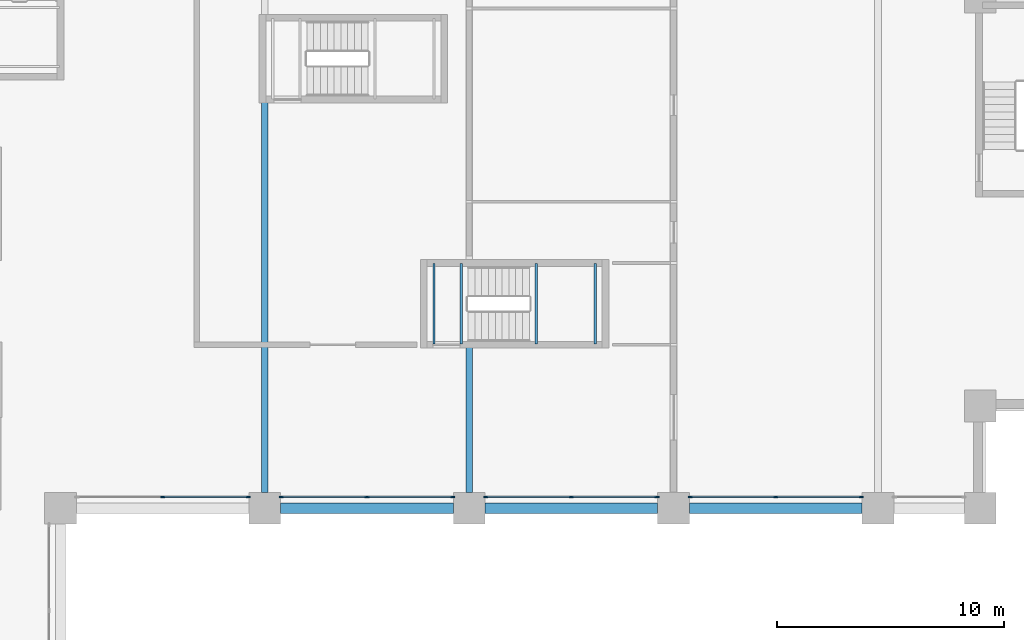
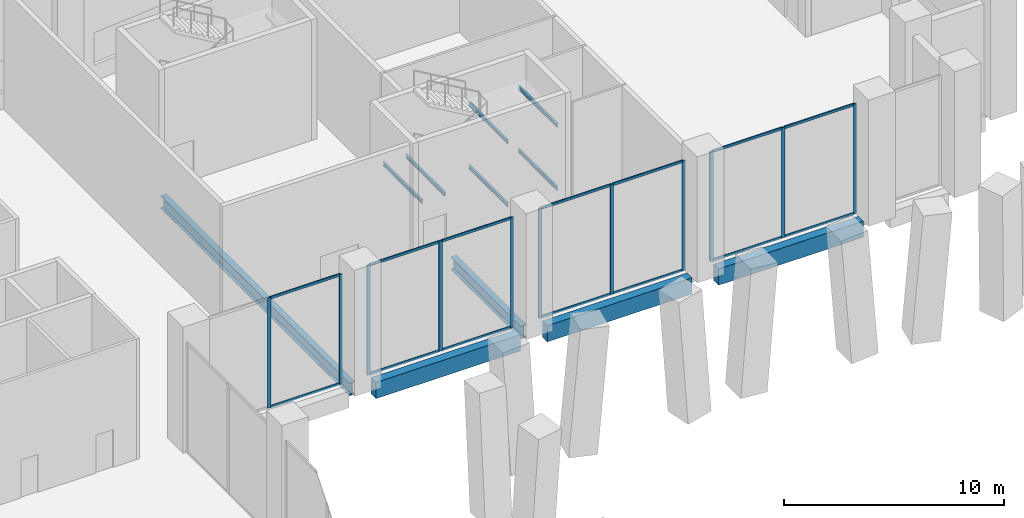
# One storey, part 6 of 18: 25 members, 11 beams, 4 elements without a shape of their own.
"""IFC4 building model written with IfcOpenShell, lengths in metres."""

import ifcopenshell
import ifcopenshell.guid

model = None  # the IFC model being written
_history = None  # IfcOwnerHistory: only IFC2X3 demands one
_inside = {}  # id of a spatial element -> (the spatial element, [elements in it])
_under = {}  # id of a project, library or spatial element -> (it, [spatial elements below it])
_declared = {}  # id of a project -> (the project, [libraries it declares])
_typed = {}  # id of a type object -> (the type object, [elements of that type])
_made_of = {}  # id of a material, layer set ... -> (it, [elements and type objects made of it])


def new_model(schema):
    """Start an empty IFC model of exactly this schema.

    Asked for "IFC4X3", IfcOpenShell would pick the latest addendum, in which some entities
    have other attributes; the version numbers below select the first issue.
    IFC2X3 requires an IfcOwnerHistory on every rooted entity: one is made here for all.
    """
    global model, _history
    if schema == "IFC4X3":
        model = ifcopenshell.file(schema_version=(4, 3, 0, 0))
    else:
        model = ifcopenshell.file(schema=schema)
    _inside.clear()
    _under.clear()
    _declared.clear()
    _typed.clear()
    _made_of.clear()
    _history = None
    if model.schema == "IFC2X3":
        org = make("IfcOrganization", Name="unknown")
        user = make(
            "IfcPersonAndOrganization",
            ThePerson=make("IfcPerson", FamilyName="unknown"),
            TheOrganization=org,
        )
        app = make(
            "IfcApplication",
            ApplicationDeveloper=org,
            Version="unknown",
            ApplicationFullName="unknown",
            ApplicationIdentifier="unknown",
        )
        _history = make(
            "IfcOwnerHistory",
            OwningUser=user,
            OwningApplication=app,
            ChangeAction="ADDED",
            CreationDate=0,
        )
    return model


def make(cls, **values):
    """One entity of the class cls with the attributes given. An attribute that is None is left unset."""
    return model.create_entity(
        cls, **{name: value for name, value in values.items() if value is not None}
    )


def rooted(cls, **values):
    """An entity with a GlobalId (a new one), such as an element, a storey or a relation."""
    return make(cls, GlobalId=ifcopenshell.guid.new(), OwnerHistory=_history, **values)


def si_unit(unit_type, name, prefix=None):
    """IfcSIUnit, for example si_unit("LENGTHUNIT", "METRE", prefix="MILLI")."""
    return make("IfcSIUnit", UnitType=unit_type, Prefix=prefix, Name=name)


def assignment(units):
    """IfcUnitAssignment: the units of a project."""
    return None if units is None else make("IfcUnitAssignment", Units=units)


def point(xyz):
    """IfcCartesianPoint."""
    return None if xyz is None else make("IfcCartesianPoint", Coordinates=xyz)


def direction(xyz):
    """IfcDirection."""
    return None if xyz is None else make("IfcDirection", DirectionRatios=xyz)


def frame(location, z_axis=None, x_axis=None):
    """IfcAxis2Placement3D, a coordinate frame: its origin and axes. An axis left out is left unset."""
    return make(
        "IfcAxis2Placement3D",
        Location=point(location),
        Axis=direction(z_axis),
        RefDirection=direction(x_axis),
    )


def frame_2d(location, x_axis=None):
    """IfcAxis2Placement2D, a coordinate frame in the plane: its origin and x axis."""
    return make(
        "IfcAxis2Placement2D", Location=point(location), RefDirection=direction(x_axis)
    )


def origin():
    """The frame at (0, 0, 0) with its axes left unset."""
    return frame((0.0, 0.0, 0.0))


def origin_2d():
    """The frame at (0, 0) in the plane with its x axis left unset."""
    return frame_2d((0.0, 0.0))


def place(relative_to, where):
    """IfcLocalPlacement: puts the frame where relative to a parent placement (None: the world)."""
    return make(
        "IfcLocalPlacement", PlacementRelTo=relative_to, RelativePlacement=where
    )


def context(
    kind, dimensions, precision=None, world=None, true_north=None, identifier=None
):
    """IfcGeometricRepresentationContext, for example the 3D "Model" context."""
    return make(
        "IfcGeometricRepresentationContext",
        ContextIdentifier=identifier,
        ContextType=kind,
        CoordinateSpaceDimension=dimensions,
        Precision=precision,
        WorldCoordinateSystem=world,
        TrueNorth=true_north,
    )


def subcontext(parent, identifier, kind, view, scale=None):
    """IfcGeometricRepresentationSubContext, for example "Body" below "Model"."""
    return make(
        "IfcGeometricRepresentationSubContext",
        ContextIdentifier=identifier,
        ContextType=kind,
        ParentContext=parent,
        TargetScale=scale,
        TargetView=view,
    )


def project(units=None, contexts=None):
    """IfcProject with its units and contexts."""
    return rooted(
        "IfcProject",
        Name="project",
        RepresentationContexts=contexts,
        UnitsInContext=assignment(units),
    )


def spatial(cls, under=None, at=None, **own):
    """A site, building, storey or space (cls), placed at a placement, below another one or the project."""
    s = rooted(cls, ObjectPlacement=at, **own)
    if under is not None:
        _under.setdefault(under.id(), (under, []))[1].append(s)
    return s


def profile(cls, at=None, kind="AREA", **sizes):
    """A parametric profile (cls). Its sizes go by their IFC names, for example OverallWidth=200.0."""
    return make(cls, ProfileType=kind, Position=at, **sizes)


def rectangle(**sizes):
    """IfcRectangleProfileDef."""
    return profile("IfcRectangleProfileDef", **sizes)


def i_section(**sizes):
    """IfcIShapeProfileDef."""
    return profile("IfcIShapeProfileDef", **sizes)


def extrude(swept, where, along, depth):
    """IfcExtrudedAreaSolid: the profile swept, set in the frame where, extruded along a direction by depth."""
    return make(
        "IfcExtrudedAreaSolid",
        SweptArea=swept,
        Position=where,
        ExtrudedDirection=direction(along),
        Depth=depth,
    )


def shape(context_of_items, identifier, shape_type, items):
    """IfcShapeRepresentation: the items that make up one representation, for example the "Body"."""
    return make(
        "IfcShapeRepresentation",
        ContextOfItems=context_of_items,
        RepresentationIdentifier=identifier,
        RepresentationType=shape_type,
        Items=items,
    )


def material(Name=None, Category=None):
    """IfcMaterial."""
    return make("IfcMaterial", Name=Name, Category=Category)


def material_profile(
    of_material, cross_section, Name=None, Category=None, Priority=None
):
    """IfcMaterialProfile: a cross section and its material."""
    return make(
        "IfcMaterialProfile",
        Name=Name,
        Material=of_material,
        Profile=cross_section,
        Priority=Priority,
        Category=Category,
    )


def profile_set(profiles, Name=None, composite=None):
    """IfcMaterialProfileSet."""
    return make(
        "IfcMaterialProfileSet",
        Name=Name,
        MaterialProfiles=profiles,
        CompositeProfile=composite,
    )


def made_of(thing, what):
    """Note that an element or type object is made of a material, layer set ...; save() writes the relation."""
    if what is not None:
        _made_of.setdefault(what.id(), (what, []))[1].append(thing)
    return thing


def type_object(cls, material=None, **own):
    """A type object (cls), such as IfcWallType, which elements share."""
    return made_of(rooted(cls, **own), material)


def element(
    cls,
    number,
    at=None,
    inside=None,
    cuts=None,
    type_object=None,
    material=None,
    context=None,
    identifier="Body",
    shape_type=None,
    held_by="IfcProductDefinitionShape",
    body=None,
    shapes=None,
    **own,
):
    """One element of the class cls, such as IfcWall. Its Tag is "e" and its number.

    at: its placement. inside: the storey or other place that contains it. cuts: it is an
    opening in that element (IfcRelVoidsElement). A single representation is given by context,
    identifier, shape_type and body (its items); several are given by shapes. held_by: the class
    of the entity that holds the representations. save() writes the other relations.
    """
    e = rooted(cls, Tag="e%d" % number, ObjectPlacement=at, **own)
    if body is not None:
        shapes = [shape(context, identifier, shape_type, body)]
    if shapes is not None:
        e.Representation = make(held_by, Representations=shapes)
    if inside is not None:
        _inside.setdefault(inside.id(), (inside, []))[1].append(e)
    if cuts is not None:
        rooted(
            "IfcRelVoidsElement", RelatingBuildingElement=cuts, RelatedOpeningElement=e
        )
    if type_object is not None:
        _typed.setdefault(type_object.id(), (type_object, []))[1].append(e)
    return made_of(e, material)


def aggregate(whole, parts):
    """IfcRelAggregates: a whole, such as a stair, and the parts it consists of."""
    return rooted("IfcRelAggregates", RelatingObject=whole, RelatedObjects=parts)


def save(model, path):
    """Write the relations noted so far, then the file.

    IfcRelAggregates (storeys below a building ...), IfcRelContainedInSpatialStructure (elements
    in a storey), IfcRelDefinesByType, IfcRelAssociatesMaterial and IfcRelDeclares: one each for
    every whole, place, type object, material and project.
    """
    for whole, parts in _under.values():
        aggregate(whole, parts)
    for where, things in _inside.values():
        rooted(
            "IfcRelContainedInSpatialStructure",
            RelatedElements=things,
            RelatingStructure=where,
        )
    for kind, things in _typed.values():
        rooted("IfcRelDefinesByType", RelatedObjects=things, RelatingType=kind)
    for what, things in _made_of.values():
        rooted("IfcRelAssociatesMaterial", RelatedObjects=things, RelatingMaterial=what)
    for by, libraries in _declared.values():
        rooted("IfcRelDeclares", RelatingContext=by, RelatedDefinitions=libraries)
    model.write(path)


model = new_model("IFC4")

# Units and contexts
model_context = context("Model", 3, precision=1e-05, world=origin(), true_north=direction((0.0, 1.0)))
body_context = subcontext(model_context, "Body", "Model", "MODEL_VIEW")
ifc_project = project(units=[si_unit("LENGTHUNIT", "METRE"), si_unit("AREAUNIT", "SQUARE_METRE"), si_unit("VOLUMEUNIT", "CUBIC_METRE"), si_unit("PLANEANGLEUNIT", "RADIAN"), si_unit("MASSUNIT", "GRAM", prefix="KILO")], contexts=[model_context])

# Site, building, storey
site_placement = place(None, origin())
site = spatial("IfcSite", under=ifc_project, at=site_placement, CompositionType="ELEMENT")
building_placement = place(site_placement, origin())
building = spatial("IfcBuilding", under=site, at=building_placement, Name="Brondeck Convention Tower", CompositionType="ELEMENT")
storey_placement = place(building_placement, frame((0.0, 0.0, 7.5)))
storey = spatial("IfcBuildingStorey", under=building, at=storey_placement, Name="L01", CompositionType="ELEMENT", Elevation=7.5)

# Curtain wall, members
ifc_material_1 = material(Name="Aluminium, bronze anodised", Category="aluminium")
curtain_wall_type = type_object("IfcCurtainWallType", Name="Podium hall curtain wall", PredefinedType="NOTDEFINED", material=ifc_material_1)
curtain_wall_1_placement = place(storey_placement, origin())
curtain_wall_1 = element("IfcCurtainWall", 1, at=curtain_wall_1_placement, inside=storey, type_object=curtain_wall_type, Name="ENV-CW2-L01-A-S-01", PredefinedType="NOTDEFINED")
ifc_material_profile_1 = material_profile(ifc_material_1, rectangle(XDim=0.06005859375, YDim=0.179931640625, at=origin_2d()), Name="CW2 mullion")
ifc_profile_set_1 = profile_set([ifc_material_profile_1], Name="Aluminium, bronze anodised")
member_type_1 = type_object("IfcMemberType", Name="CW2 mullion", PredefinedType="MULLION", material=ifc_profile_set_1)
member_1_placement = place(storey_placement, frame((35.27001953125, 36.5, 0.0), z_axis=(0.0, 0.0, 1.0), x_axis=(0.0, -1.0, 0.0)))
member_1 = element("IfcMember", 2, at=member_1_placement, type_object=member_type_1, Name="CW2 mullion 1", PredefinedType="MULLION", context=body_context, shape_type="SweptSolid", body=[
    extrude(rectangle(XDim=0.06005859375, YDim=0.179931640625, at=origin_2d()), origin(), (0.0, 0.0, 1.0), 6.10009765625),
])
member_2_placement = place(storey_placement, frame((31.5, 36.5, 0.0), z_axis=(0.0, 0.0, 1.0), x_axis=(0.0, -1.0, 0.0)))
member_2 = element("IfcMember", 3, at=member_2_placement, type_object=member_type_1, Name="CW2 mullion 2", PredefinedType="MULLION", context=body_context, shape_type="SweptSolid", body=[
    extrude(rectangle(XDim=0.06005859375, YDim=0.179931640625, at=origin_2d()), origin(), (0.0, 0.0, 1.0), 6.10009765625),
])

curtain_wall_2_placement = place(storey_placement, origin())
curtain_wall_2 = element("IfcCurtainWall", 4, at=curtain_wall_2_placement, inside=storey, type_object=curtain_wall_type, Name="ENV-CW2-L01-A-S-03", PredefinedType="NOTDEFINED")
member_3_placement = place(storey_placement, frame((44.27001953125, 36.5, 0.0), z_axis=(0.0, 0.0, 1.0), x_axis=(0.0, -1.0, 0.0)))
member_3 = element("IfcMember", 5, at=member_3_placement, type_object=member_type_1, Name="CW2 mullion 1", PredefinedType="MULLION", context=body_context, shape_type="SweptSolid", body=[
    extrude(rectangle(XDim=0.06005859375, YDim=0.179931640625, at=origin_2d()), origin(), (0.0, 0.0, 1.0), 6.10009765625),
])
member_4_placement = place(storey_placement, frame((40.5, 36.5, 0.0), z_axis=(0.0, 0.0, 1.0), x_axis=(0.0, -1.0, 0.0)))
member_4 = element("IfcMember", 6, at=member_4_placement, type_object=member_type_1, Name="CW2 mullion 2", PredefinedType="MULLION", context=body_context, shape_type="SweptSolid", body=[
    extrude(rectangle(XDim=0.06005859375, YDim=0.179931640625, at=origin_2d()), origin(), (0.0, 0.0, 1.0), 6.10009765625),
])
member_5_placement = place(storey_placement, frame((36.72998046875, 36.5, 0.0), z_axis=(0.0, 0.0, 1.0), x_axis=(0.0, -1.0, 0.0)))
member_5 = element("IfcMember", 7, at=member_5_placement, type_object=member_type_1, Name="CW2 mullion 3", PredefinedType="MULLION", context=body_context, shape_type="SweptSolid", body=[
    extrude(rectangle(XDim=0.06005859375, YDim=0.179931640625, at=origin_2d()), origin(), (0.0, 0.0, 1.0), 6.10009765625),
])

curtain_wall_3_placement = place(storey_placement, origin())
curtain_wall_3 = element("IfcCurtainWall", 8, at=curtain_wall_3_placement, inside=storey, type_object=curtain_wall_type, Name="ENV-CW2-L01-A-S-05", PredefinedType="NOTDEFINED")
member_6_placement = place(storey_placement, frame((53.27001953125, 36.5, 0.0), z_axis=(0.0, 0.0, 1.0), x_axis=(0.0, -1.0, 0.0)))
member_6 = element("IfcMember", 9, at=member_6_placement, type_object=member_type_1, Name="CW2 mullion 1", PredefinedType="MULLION", context=body_context, shape_type="SweptSolid", body=[
    extrude(rectangle(XDim=0.06005859375, YDim=0.179931640625, at=origin_2d()), origin(), (0.0, 0.0, 1.0), 6.10009765625),
])
member_7_placement = place(storey_placement, frame((49.5, 36.5, 0.0), z_axis=(0.0, 0.0, 1.0), x_axis=(0.0, -1.0, 0.0)))
member_7 = element("IfcMember", 10, at=member_7_placement, type_object=member_type_1, Name="CW2 mullion 2", PredefinedType="MULLION", context=body_context, shape_type="SweptSolid", body=[
    extrude(rectangle(XDim=0.06005859375, YDim=0.179931640625, at=origin_2d()), origin(), (0.0, 0.0, 1.0), 6.10009765625),
])
member_8_placement = place(storey_placement, frame((45.72998046875, 36.5, 0.0), z_axis=(0.0, 0.0, 1.0), x_axis=(0.0, -1.0, 0.0)))
member_8 = element("IfcMember", 11, at=member_8_placement, type_object=member_type_1, Name="CW2 mullion 3", PredefinedType="MULLION", context=body_context, shape_type="SweptSolid", body=[
    extrude(rectangle(XDim=0.06005859375, YDim=0.179931640625, at=origin_2d()), origin(), (0.0, 0.0, 1.0), 6.10009765625),
])

curtain_wall_4_placement = place(storey_placement, origin())
curtain_wall_4 = element("IfcCurtainWall", 12, at=curtain_wall_4_placement, inside=storey, type_object=curtain_wall_type, Name="ENV-CW2-L01-A-S-07", PredefinedType="NOTDEFINED")
member_9_placement = place(storey_placement, frame((62.27001953125, 36.5, 0.0), z_axis=(0.0, 0.0, 1.0), x_axis=(0.0, -1.0, 0.0)))
member_9 = element("IfcMember", 13, at=member_9_placement, type_object=member_type_1, Name="CW2 mullion 1", PredefinedType="MULLION", context=body_context, shape_type="SweptSolid", body=[
    extrude(rectangle(XDim=0.06005859375, YDim=0.179931640625, at=origin_2d()), origin(), (0.0, 0.0, 1.0), 6.10009765625),
])
member_10_placement = place(storey_placement, frame((58.5, 36.5, 0.0), z_axis=(0.0, 0.0, 1.0), x_axis=(0.0, -1.0, 0.0)))
member_10 = element("IfcMember", 14, at=member_10_placement, type_object=member_type_1, Name="CW2 mullion 2", PredefinedType="MULLION", context=body_context, shape_type="SweptSolid", body=[
    extrude(rectangle(XDim=0.06005859375, YDim=0.179931640625, at=origin_2d()), origin(), (0.0, 0.0, 1.0), 6.10009765625),
])
member_11_placement = place(storey_placement, frame((54.72998046875, 36.5, 0.0), z_axis=(0.0, 0.0, 1.0), x_axis=(0.0, -1.0, 0.0)))
member_11 = element("IfcMember", 15, at=member_11_placement, type_object=member_type_1, Name="CW2 mullion 3", PredefinedType="MULLION", context=body_context, shape_type="SweptSolid", body=[
    extrude(rectangle(XDim=0.06005859375, YDim=0.179931640625, at=origin_2d()), origin(), (0.0, 0.0, 1.0), 6.10009765625),
])

# Member
ifc_material_profile_2 = material_profile(ifc_material_1, rectangle(XDim=0.06005859375, YDim=0.139892578125, at=origin_2d()), Name="CW2 transom")
ifc_profile_set_2 = profile_set([ifc_material_profile_2], Name="Aluminium, bronze anodised")
member_type_2 = type_object("IfcMemberType", Name="CW2 transom", PredefinedType="USERDEFINED", material=ifc_profile_set_2)
member_12_placement = place(storey_placement, frame((35.239990234375, 36.5, 0.030029296875), z_axis=(-1.0, 0.0, 0.0), x_axis=(0.0, -1.0, 0.0)))
member_12 = element("IfcMember", 16, at=member_12_placement, type_object=member_type_2, Name="CW2 transom 1.1", ObjectType="TRANSOM", PredefinedType="USERDEFINED", context=body_context, shape_type="SweptSolid", body=[
    extrude(rectangle(XDim=0.06005859375, YDim=0.139892578125, at=origin_2d()), origin(), (0.0, 0.0, 1.0), 3.7099609375),
])

member_13_placement = place(storey_placement, frame((35.239990234375, 36.5, 6.070068359375), z_axis=(-1.0, 0.0, 0.0), x_axis=(0.0, -1.0, 0.0)))
member_13 = element("IfcMember", 17, at=member_13_placement, type_object=member_type_2, Name="CW2 transom 1.2", ObjectType="TRANSOM", PredefinedType="USERDEFINED", context=body_context, shape_type="SweptSolid", body=[
    extrude(rectangle(XDim=0.06005859375, YDim=0.139892578125, at=origin_2d()), origin(), (0.0, 0.0, 1.0), 3.7099609375),
])

aggregate(curtain_wall_1, [member_1, member_2, member_12, member_13])

member_14_placement = place(storey_placement, frame((44.239990234375, 36.5, 0.030029296875), z_axis=(-1.0, 0.0, 0.0), x_axis=(0.0, -1.0, 0.0)))
member_14 = element("IfcMember", 18, at=member_14_placement, type_object=member_type_2, Name="CW2 transom 1.1", ObjectType="TRANSOM", PredefinedType="USERDEFINED", context=body_context, shape_type="SweptSolid", body=[
    extrude(rectangle(XDim=0.06005859375, YDim=0.139892578125, at=origin_2d()), origin(), (0.0, 0.0, 1.0), 3.7099609375),
])

member_15_placement = place(storey_placement, frame((44.239990234375, 36.5, 6.070068359375), z_axis=(-1.0, 0.0, 0.0), x_axis=(0.0, -1.0, 0.0)))
member_15 = element("IfcMember", 19, at=member_15_placement, type_object=member_type_2, Name="CW2 transom 1.2", ObjectType="TRANSOM", PredefinedType="USERDEFINED", context=body_context, shape_type="SweptSolid", body=[
    extrude(rectangle(XDim=0.06005859375, YDim=0.139892578125, at=origin_2d()), origin(), (0.0, 0.0, 1.0), 3.7099609375),
])

member_16_placement = place(storey_placement, frame((40.469970703125, 36.5, 0.030029296875), z_axis=(-1.0, 0.0, 0.0), x_axis=(0.0, -1.0, 0.0)))
member_16 = element("IfcMember", 20, at=member_16_placement, type_object=member_type_2, Name="CW2 transom 2.1", ObjectType="TRANSOM", PredefinedType="USERDEFINED", context=body_context, shape_type="SweptSolid", body=[
    extrude(rectangle(XDim=0.06005859375, YDim=0.139892578125, at=origin_2d()), origin(), (0.0, 0.0, 1.0), 3.7099609375),
])

member_17_placement = place(storey_placement, frame((40.469970703125, 36.5, 6.070068359375), z_axis=(-1.0, 0.0, 0.0), x_axis=(0.0, -1.0, 0.0)))
member_17 = element("IfcMember", 21, at=member_17_placement, type_object=member_type_2, Name="CW2 transom 2.2", ObjectType="TRANSOM", PredefinedType="USERDEFINED", context=body_context, shape_type="SweptSolid", body=[
    extrude(rectangle(XDim=0.06005859375, YDim=0.139892578125, at=origin_2d()), origin(), (0.0, 0.0, 1.0), 3.7099609375),
])

aggregate(curtain_wall_2, [member_3, member_4, member_5, member_14, member_15, member_16, member_17])

member_18_placement = place(storey_placement, frame((53.239990234375, 36.5, 0.030029296875), z_axis=(-1.0, 0.0, 0.0), x_axis=(0.0, -1.0, 0.0)))
member_18 = element("IfcMember", 22, at=member_18_placement, type_object=member_type_2, Name="CW2 transom 1.1", ObjectType="TRANSOM", PredefinedType="USERDEFINED", context=body_context, shape_type="SweptSolid", body=[
    extrude(rectangle(XDim=0.06005859375, YDim=0.139892578125, at=origin_2d()), origin(), (0.0, 0.0, 1.0), 3.7099609375),
])

member_19_placement = place(storey_placement, frame((53.239990234375, 36.5, 6.070068359375), z_axis=(-1.0, 0.0, 0.0), x_axis=(0.0, -1.0, 0.0)))
member_19 = element("IfcMember", 23, at=member_19_placement, type_object=member_type_2, Name="CW2 transom 1.2", ObjectType="TRANSOM", PredefinedType="USERDEFINED", context=body_context, shape_type="SweptSolid", body=[
    extrude(rectangle(XDim=0.06005859375, YDim=0.139892578125, at=origin_2d()), origin(), (0.0, 0.0, 1.0), 3.7099609375),
])

member_20_placement = place(storey_placement, frame((49.469970703125, 36.5, 0.030029296875), z_axis=(-1.0, 0.0, 0.0), x_axis=(0.0, -1.0, 0.0)))
member_20 = element("IfcMember", 24, at=member_20_placement, type_object=member_type_2, Name="CW2 transom 2.1", ObjectType="TRANSOM", PredefinedType="USERDEFINED", context=body_context, shape_type="SweptSolid", body=[
    extrude(rectangle(XDim=0.06005859375, YDim=0.139892578125, at=origin_2d()), origin(), (0.0, 0.0, 1.0), 3.7099609375),
])

member_21_placement = place(storey_placement, frame((49.469970703125, 36.5, 6.070068359375), z_axis=(-1.0, 0.0, 0.0), x_axis=(0.0, -1.0, 0.0)))
member_21 = element("IfcMember", 25, at=member_21_placement, type_object=member_type_2, Name="CW2 transom 2.2", ObjectType="TRANSOM", PredefinedType="USERDEFINED", context=body_context, shape_type="SweptSolid", body=[
    extrude(rectangle(XDim=0.06005859375, YDim=0.139892578125, at=origin_2d()), origin(), (0.0, 0.0, 1.0), 3.7099609375),
])

aggregate(curtain_wall_3, [member_6, member_7, member_8, member_18, member_19, member_20, member_21])

member_22_placement = place(storey_placement, frame((62.239990234375, 36.5, 0.030029296875), z_axis=(-1.0, 0.0, 0.0), x_axis=(0.0, -1.0, 0.0)))
member_22 = element("IfcMember", 26, at=member_22_placement, type_object=member_type_2, Name="CW2 transom 1.1", ObjectType="TRANSOM", PredefinedType="USERDEFINED", context=body_context, shape_type="SweptSolid", body=[
    extrude(rectangle(XDim=0.06005859375, YDim=0.139892578125, at=origin_2d()), origin(), (0.0, 0.0, 1.0), 3.7099609375),
])

member_23_placement = place(storey_placement, frame((62.239990234375, 36.5, 6.070068359375), z_axis=(-1.0, 0.0, 0.0), x_axis=(0.0, -1.0, 0.0)))
member_23 = element("IfcMember", 27, at=member_23_placement, type_object=member_type_2, Name="CW2 transom 1.2", ObjectType="TRANSOM", PredefinedType="USERDEFINED", context=body_context, shape_type="SweptSolid", body=[
    extrude(rectangle(XDim=0.06005859375, YDim=0.139892578125, at=origin_2d()), origin(), (0.0, 0.0, 1.0), 3.7099609375),
])

member_24_placement = place(storey_placement, frame((58.469970703125, 36.5, 0.030029296875), z_axis=(-1.0, 0.0, 0.0), x_axis=(0.0, -1.0, 0.0)))
member_24 = element("IfcMember", 28, at=member_24_placement, type_object=member_type_2, Name="CW2 transom 2.1", ObjectType="TRANSOM", PredefinedType="USERDEFINED", context=body_context, shape_type="SweptSolid", body=[
    extrude(rectangle(XDim=0.06005859375, YDim=0.139892578125, at=origin_2d()), origin(), (0.0, 0.0, 1.0), 3.7099609375),
])

member_25_placement = place(storey_placement, frame((58.469970703125, 36.5, 6.070068359375), z_axis=(-1.0, 0.0, 0.0), x_axis=(0.0, -1.0, 0.0)))
member_25 = element("IfcMember", 29, at=member_25_placement, type_object=member_type_2, Name="CW2 transom 2.2", ObjectType="TRANSOM", PredefinedType="USERDEFINED", context=body_context, shape_type="SweptSolid", body=[
    extrude(rectangle(XDim=0.06005859375, YDim=0.139892578125, at=origin_2d()), origin(), (0.0, 0.0, 1.0), 3.7099609375),
])

aggregate(curtain_wall_4, [member_9, member_10, member_11, member_22, member_23, member_24, member_25])

# Beams
ifc_material_2 = material(Name="Concrete C80/95", Category="concrete")
ifc_material_profile_3 = material_profile(ifc_material_2, rectangle(XDim=0.449951171875, YDim=0.89990234375, at=origin_2d()), Name="Edge beam 450x900 Concrete C80/95")
ifc_profile_set_3 = profile_set([ifc_material_profile_3], Name="Concrete C80/95")
beam_type_1 = type_object("IfcBeamType", Name="Edge beam 450x900 Concrete C80/95", PredefinedType="BEAM", material=ifc_profile_set_3)
for number, where, z_axis, x_axis, name in (
    (30, (36.699951171875, 36.0, -0.449951171875), (1.0, 0.0, 0.0), (0.0, 1.0, 0.0), "STR-SP-L01-010"),
    (31, (45.699951171875, 36.0, -0.449951171875), (1.0, 0.0, 0.0), (0.0, 1.0, 0.0), "STR-SP-L01-011"),
    (32, (54.699951171875, 36.0, -0.449951171875), (1.0, 0.0, 0.0), (0.0, 1.0, 0.0), "STR-SP-L01-012"),
):
    element("IfcBeam", number, at=place(storey_placement, frame(where, z_axis=z_axis, x_axis=x_axis)), inside=storey, type_object=beam_type_1, Name=name, PredefinedType="BEAM", context=body_context, shape_type="SweptSolid", body=[
        extrude(rectangle(XDim=0.449951171875, YDim=0.89990234375, at=origin_2d()), origin(), (0.0, 0.0, 1.0), 7.60009765625),
    ])
ifc_material_3 = material(Name="Steel S355", Category="steel")
ifc_material_profile_4 = material_profile(ifc_material_3, i_section(OverallWidth=0.300048828125, OverallDepth=0.699951171875, WebThickness=0.01708984375, FlangeThickness=0.031982421875, FilletRadius=0.027099609375, at=origin_2d()), Name="HEB 700")
ifc_profile_set_4 = profile_set([ifc_material_profile_4], Name="Steel S355")
beam_type_2 = type_object("IfcBeamType", Name="Girder HEB 700", PredefinedType="BEAM", material=ifc_profile_set_4)
beam_1_placement = place(storey_placement, frame((36.0, 36.699951171875, -0.64990234375), z_axis=(0.0, 1.0, 0.0), x_axis=(-1.0, 0.0, 0.0)))
element("IfcBeam", 33, at=beam_1_placement, inside=storey, type_object=beam_type_2, Name="STR-GR-L01-001", PredefinedType="BEAM", context=body_context, shape_type="SweptSolid", body=[
    extrude(i_section(OverallWidth=0.300048828125, OverallDepth=0.699951171875, WebThickness=0.01708984375, FlangeThickness=0.031982421875, FilletRadius=0.027099609375, at=origin_2d()), origin(), (0.0, 0.0, 1.0), 17.179931640625),
])
beam_2_placement = place(storey_placement, frame((45.0, 36.699951171875, -0.64990234375), z_axis=(0.0, 1.0, 0.0), x_axis=(-1.0, 0.0, 0.0)))
element("IfcBeam", 34, at=beam_2_placement, inside=storey, type_object=beam_type_2, Name="STR-GR-L01-003", PredefinedType="BEAM", context=body_context, shape_type="SweptSolid", body=[
    extrude(i_section(OverallWidth=0.300048828125, OverallDepth=0.699951171875, WebThickness=0.01708984375, FlangeThickness=0.031982421875, FilletRadius=0.027099609375, at=origin_2d()), origin(), (0.0, 0.0, 1.0), 6.380126953125),
])
ifc_material_profile_5 = material_profile(ifc_material_3, i_section(OverallWidth=0.10009765625, OverallDepth=0.199951171875, WebThickness=0.005615234375, FlangeThickness=0.008544921875, FilletRadius=0.011962890625, at=origin_2d()), Name="IPE200")
ifc_profile_set_5 = profile_set([ifc_material_profile_5], Name="Steel S355")
beam_type_3 = type_object("IfcBeamType", Name="Landing ledger beam IPE 200", PredefinedType="BEAM", material=ifc_profile_set_5)
for number, where, z_axis, x_axis, name in (
    (35, (47.949951171875, 43.22998046875, 1.39990234375), (0.0, 1.0, 0.0), (-1.0, 0.0, 0.0), "L01 ST-AF landing beam"),
    (36, (50.550048828125, 43.22998046875, 1.39990234375), (0.0, 1.0, 0.0), (-1.0, 0.0, 0.0), "L01 ST-AF landing beam"),
    (37, (43.449951171875, 43.22998046875, 3.14990234375), (0.0, 1.0, 0.0), (-1.0, 0.0, 0.0), "L01 ST-AF landing beam"),
    (38, (44.64990234375, 43.22998046875, 3.14990234375), (0.0, 1.0, 0.0), (-1.0, 0.0, 0.0), "L01 ST-AF landing beam"),
    (39, (47.949951171875, 43.22998046875, 4.89990234375), (0.0, 1.0, 0.0), (-1.0, 0.0, 0.0), "L01 ST-AF landing beam"),
    (40, (50.550048828125, 43.22998046875, 4.89990234375), (0.0, 1.0, 0.0), (-1.0, 0.0, 0.0), "L01 ST-AF landing beam"),
):
    element("IfcBeam", number, at=place(storey_placement, frame(where, z_axis=z_axis, x_axis=x_axis)), inside=storey, type_object=beam_type_3, Name=name, PredefinedType="BEAM", context=body_context, shape_type="SweptSolid", body=[
        extrude(i_section(OverallWidth=0.10009765625, OverallDepth=0.199951171875, WebThickness=0.005615234375, FlangeThickness=0.008544921875, FilletRadius=0.011962890625, at=origin_2d()), origin(), (0.0, 0.0, 1.0), 3.5400390625),
    ])

save(model, "model.ifc")
